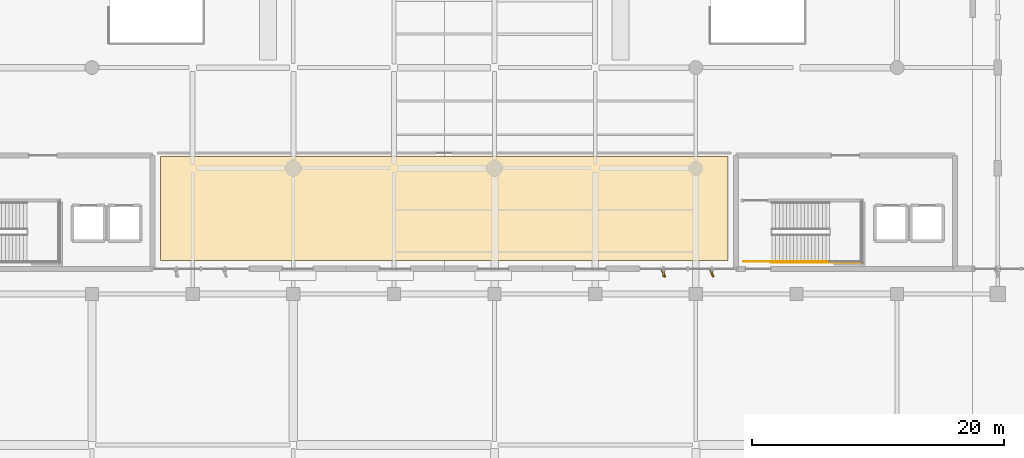
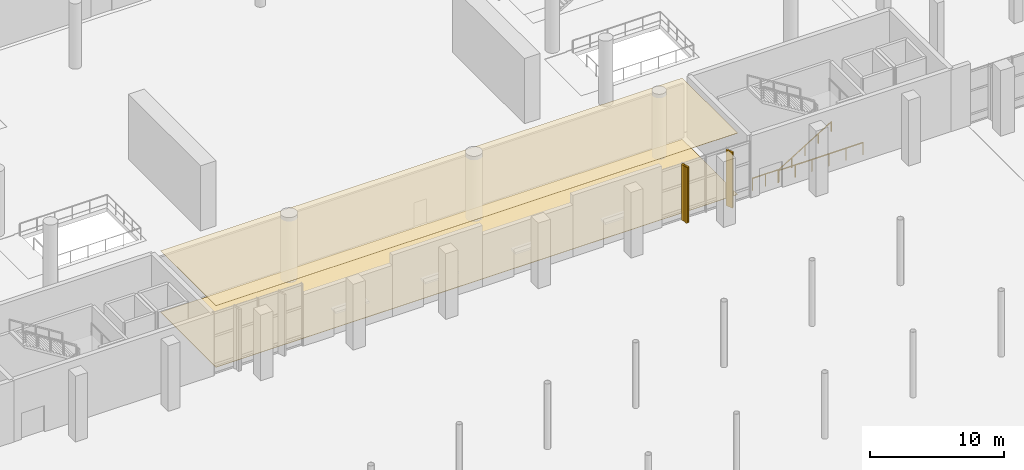
# One storey, part 148 of 163: 3 coverings, 3 railings, 2 shading devices.
"""IFC4 building model written with IfcOpenShell, lengths in metres."""

from ifc_helpers import new_model, si_unit, direction, frame, origin, origin_2d, place, context, subcontext, project, spatial, polyline, rectangle, outline, extrude, material, layer, layer_set, type_object, element, save


model = new_model("IFC4")

# Units and contexts
model_context = context("Model", 3, precision=1e-05, world=origin(), true_north=direction((0.0, 1.0)))
body_context = subcontext(model_context, "Body", "Model", "MODEL_VIEW")
ifc_project = project(units=[si_unit("LENGTHUNIT", "METRE"), si_unit("AREAUNIT", "SQUARE_METRE"), si_unit("VOLUMEUNIT", "CUBIC_METRE"), si_unit("PLANEANGLEUNIT", "RADIAN"), si_unit("MASSUNIT", "GRAM", prefix="KILO")], contexts=[model_context])

# Site, building, storey
site_placement = place(None, origin())
site = spatial("IfcSite", under=ifc_project, at=site_placement, CompositionType="ELEMENT")
building_placement = place(site_placement, origin())
building = spatial("IfcBuilding", under=site, at=building_placement, Name="Khorjan Park Terminus", CompositionType="ELEMENT")
storey_placement = place(building_placement, origin())
storey = spatial("IfcBuildingStorey", under=building, at=storey_placement, Name="L00", CompositionType="ELEMENT", Elevation=0.0)

# Coverings
ifc_material_1 = material(Name="Perforated Acoustic Aluminium Baffle Ceiling", Category="aluminium")
ifc_layer_1 = layer(ifc_material_1, 0.03)
ifc_layer_set_1 = layer_set([ifc_layer_1], Name="Perforated Acoustic Aluminium Baffle Ceiling")
covering_type_1 = type_object("IfcCoveringType", Name="CV-CLG-ACS", PredefinedType="CEILING", material=ifc_layer_set_1)
covering_1_placement = place(storey_placement, frame((0.0, 0.0, 5.615)))
element("IfcCovering", 1, at=covering_1_placement, inside=storey, type_object=covering_type_1, Name="Flush acoustic baffle ceiling AC-60 (L00-TCK)", PredefinedType="CEILING", context=body_context, shape_type="SweptSolid", body=[
    extrude(outline(polyline([(114.55, 36.95), (114.55, 28.65), (69.45, 28.65), (69.45, 36.95), (114.55, 36.95)])), origin(), (0.0, 0.0, 1.0), 0.03),
])
ifc_material_2 = material(Name="Pigmented Precast GRC", Category="concrete")
ifc_layer_2 = layer(ifc_material_2, 0.16)
ifc_layer_set_2 = layer_set([ifc_layer_2], Name="Pigmented Precast GRC")
covering_type_2 = type_object("IfcCoveringType", Name="CV-FIN-GRC", PredefinedType="CLADDING", material=ifc_layer_set_2)
covering_2_placement = place(storey_placement, frame((109.425, 27.645, -0.02), z_axis=(0.0, 0.0, 1.0), x_axis=(0.0, 1.0, 0.0)))
element("IfcCovering", 2, at=covering_2_placement, inside=storey, type_object=covering_type_2, Name="Projecting desert-sandstone GRC facade fin CL-FN1 (CW-V2-S-L00-07-1)", PredefinedType="CLADDING", context=body_context, shape_type="SweptSolid", body=[
    extrude(rectangle(XDim=0.58, YDim=0.16, at=origin_2d()), origin(), (0.0, 0.0, 1.0), 5.105),
])
ifc_material_3 = material(Name="Polished Desert Limestone Terrazzo", Category="masonry")
ifc_layer_3 = layer(ifc_material_3, 0.035)
ifc_layer_set_3 = layer_set([ifc_layer_3], Name="Polished Desert Limestone Terrazzo")
covering_type_3 = type_object("IfcCoveringType", Name="CV-FLR-TRZ", PredefinedType="FLOORING", material=ifc_layer_set_3)
covering_3_placement = place(storey_placement, origin())
element("IfcCovering", 3, at=covering_3_placement, inside=storey, type_object=covering_type_3, Name="Architectural floor finish FF-TRZ (L00-TCK)", PredefinedType="FLOORING", context=body_context, shape_type="SweptSolid", body=[
    extrude(outline(polyline([(114.55, 36.95), (114.55, 28.65), (69.45, 28.65), (69.45, 36.95), (114.55, 36.95)])), origin(), (0.0, 0.0, 1.0), 0.035),
])

# Railings
ifc_material_4 = material(Name="Steel S355", Category="steel")
railing_type_1 = type_object("IfcRailingType", Name="GR-112", PredefinedType="GUARDRAIL", material=ifc_material_4)
railing_1_placement = place(storey_placement, frame((115.8, 28.6, 0.0)))
element("IfcRailing", 4, at=railing_1_placement, inside=storey, type_object=railing_type_1, Name="L00 ST-02 stair guard 7", PredefinedType="GUARDRAIL", context=body_context, shape_type="SweptSolid", body=[
    extrude(rectangle(XDim=0.048, YDim=0.048, at=origin_2d()), frame((0.0, 0.0, 1.096), z_axis=(1.0, 0.0, 0.0), x_axis=(0.0, 1.0, 0.0)), (0.0, 0.0, 1.0), 2.26),
    extrude(rectangle(XDim=0.042, YDim=0.042, at=origin_2d()), origin(), (0.0, 0.0, 1.0), 1.072),
    extrude(rectangle(XDim=0.042, YDim=0.042, at=origin_2d()), frame((1.13, 0.0, 0.0)), (0.0, 0.0, 1.0), 1.072),
    extrude(rectangle(XDim=0.042, YDim=0.042, at=origin_2d()), frame((2.26, 0.0, 0.0)), (0.0, 0.0, 1.0), 1.072),
])
railing_2_placement = place(storey_placement, frame((117.96, 28.5, 0.0)))
element("IfcRailing", 5, at=railing_2_placement, inside=storey, type_object=railing_type_1, Name="L00 ST-02 stair guard 8", PredefinedType="GUARDRAIL", context=body_context, shape_type="SweptSolid", body=[
    extrude(rectangle(XDim=0.048, YDim=0.048, at=origin_2d()), frame((0.0, 0.0, 1.096), z_axis=(1.0, 0.0, 0.0), x_axis=(0.0, 1.0, 0.0)), (0.0, 0.0, 1.0), 7.34),
    extrude(rectangle(XDim=0.042, YDim=0.042, at=origin_2d()), origin(), (0.0, 0.0, 1.0), 1.072),
    extrude(rectangle(XDim=0.042, YDim=0.042, at=origin_2d()), frame((1.468, 0.0, 0.0)), (0.0, 0.0, 1.0), 1.072),
    extrude(rectangle(XDim=0.042, YDim=0.042, at=origin_2d()), frame((2.936, 0.0, 0.0)), (0.0, 0.0, 1.0), 1.072),
    extrude(rectangle(XDim=0.042, YDim=0.042, at=origin_2d()), frame((4.404, 0.0, 0.0)), (0.0, 0.0, 1.0), 1.072),
    extrude(rectangle(XDim=0.042, YDim=0.042, at=origin_2d()), frame((5.872, 0.0, 0.0)), (0.0, 0.0, 1.0), 1.072),
    extrude(rectangle(XDim=0.042, YDim=0.042, at=origin_2d()), frame((7.34, 0.0, 0.0)), (0.0, 0.0, 1.0), 1.072),
])
railing_type_2 = type_object("IfcRailingType", Name="HR-92", PredefinedType="HANDRAIL", material=ifc_material_4)
railing_3_placement = place(storey_placement, frame((118.06, 28.6, 0.1765)))
element("IfcRailing", 6, at=railing_3_placement, inside=storey, type_object=railing_type_2, Name="L00 ST-02 stair handrail 1", PredefinedType="HANDRAIL", context=body_context, shape_type="SweptSolid", body=[
    extrude(rectangle(XDim=0.048, YDim=0.048, at=origin_2d()), frame((0.0, 0.0, 0.896), z_axis=(0.850211499722, 0.0, 0.526441265234), x_axis=(0.0, 1.0, 0.0)), (0.0, 0.0, 1.0), 5.3634),
    extrude(rectangle(XDim=0.042, YDim=0.042, at=origin_2d()), origin(), (0.0, 0.0, 1.0), 0.872),
    extrude(rectangle(XDim=0.042, YDim=0.042, at=origin_2d()), frame((1.14, 0.0, 0.7059)), (0.0, 0.0, 1.0), 0.872),
    extrude(rectangle(XDim=0.042, YDim=0.042, at=origin_2d()), frame((2.28, 0.0, 1.4118)), (0.0, 0.0, 1.0), 0.872),
    extrude(rectangle(XDim=0.042, YDim=0.042, at=origin_2d()), frame((3.42, 0.0, 2.1176)), (0.0, 0.0, 1.0), 0.872),
    extrude(rectangle(XDim=0.042, YDim=0.042, at=origin_2d()), frame((4.56, 0.0, 2.8235)), (0.0, 0.0, 1.0), 0.872),
])

# Shading devices
ifc_material_5 = material(Name="Anodized Bronze Aluminium", Category="aluminium")
shading_device_type = type_object("IfcShadingDeviceType", Name="SD-FIN-620", PredefinedType="JALOUSIE", material=ifc_material_5)
for number, where, z_axis, x_axis, name in (
    (7, (109.425, 27.645, -0.02), (0.0, 0.0, 1.0), (-0.374606593416, 0.927183854567, 0.0), "Angled solar brise-soleil fin SF-62 (CW-V2-S-L00-07-1)"),
    (8, (113.275, 27.645, -0.02), (0.0, 0.0, 1.0), (-0.374606593416, 0.927183854567, 0.0), "Angled solar brise-soleil fin SF-62 (CW-V2-S-L00-07-3)"),
):
    element("IfcShadingDevice", number, at=place(storey_placement, frame(where, z_axis=z_axis, x_axis=x_axis)), inside=storey, type_object=shading_device_type, Name=name, PredefinedType="JALOUSIE", context=body_context, shape_type="SweptSolid", body=[
        extrude(rectangle(XDim=0.62, YDim=0.14, at=origin_2d()), origin(), (0.0, 0.0, 1.0), 5.105),
    ])

save(model, "model.ifc")
